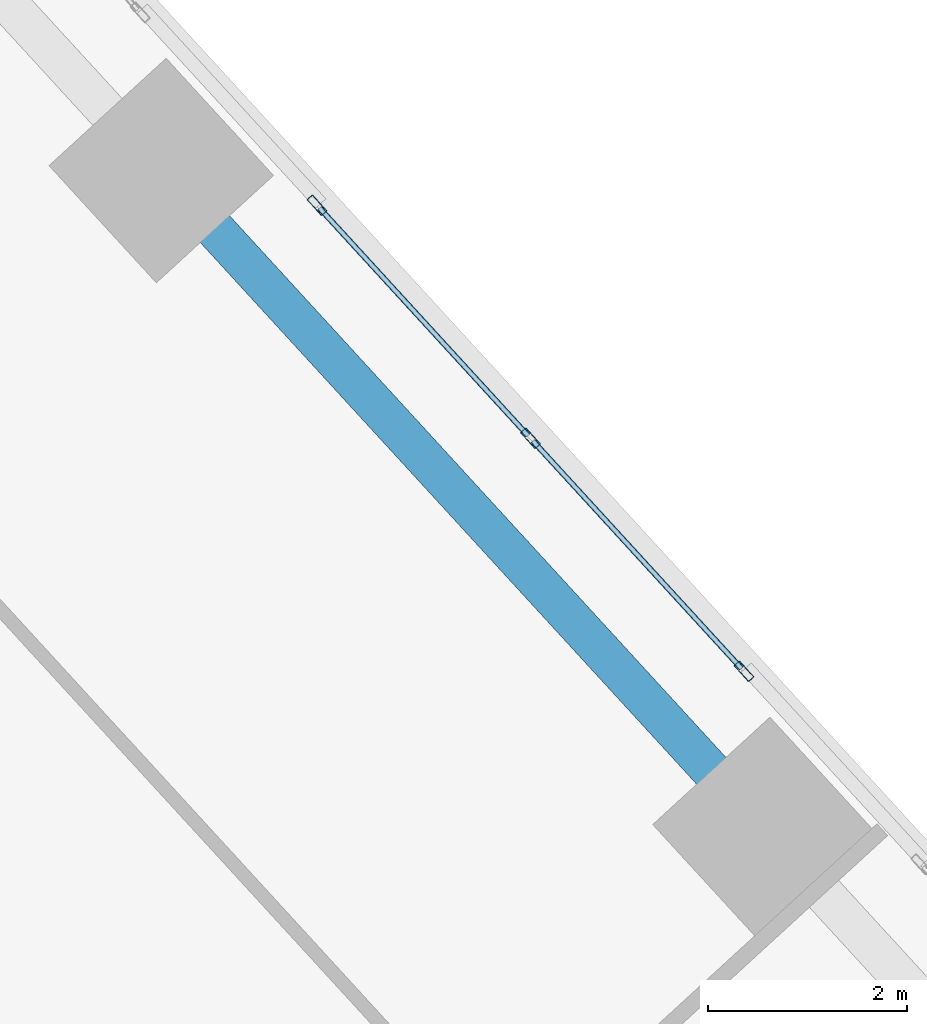
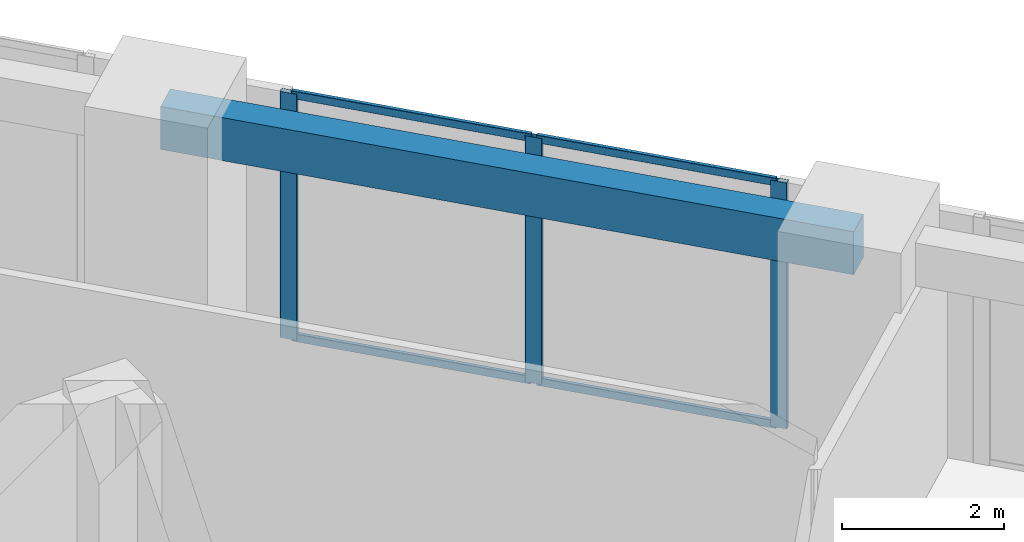
# One storey, part 10 of 17: 7 members, 1 beam, 1 element without a shape of its own.
"""IFC4 building model written with IfcOpenShell, lengths in metres."""

from ifc_helpers import new_model, si_unit, direction, frame, origin, origin_2d, place, context, subcontext, project, spatial, rectangle, hollow_rectangle, extrude, source, transform, mapped, material, material_profile, profile_set, type_object, element, aggregate, save


model = new_model("IFC4")

# Units and contexts
model_context = context("Model", 3, precision=1e-05, world=origin(), true_north=direction((0.0, 1.0)))
body_context = subcontext(model_context, "Body", "Model", "MODEL_VIEW")
ifc_project = project(units=[si_unit("LENGTHUNIT", "METRE"), si_unit("AREAUNIT", "SQUARE_METRE"), si_unit("VOLUMEUNIT", "CUBIC_METRE"), si_unit("PLANEANGLEUNIT", "RADIAN"), si_unit("MASSUNIT", "GRAM", prefix="KILO")], contexts=[model_context])

# Site, building, storey
site_placement = place(None, origin())
site = spatial("IfcSite", under=ifc_project, at=site_placement, CompositionType="ELEMENT")
building_placement = place(site_placement, origin())
building = spatial("IfcBuilding", under=site, at=building_placement, Name="Torre Montelarca", CompositionType="ELEMENT")
storey_placement = place(building_placement, frame((0.0, 0.0, 254.199951171875)))
storey = spatial("IfcBuildingStorey", under=building, at=storey_placement, Name="L57", CompositionType="ELEMENT", Elevation=254.199951171875)

# Beam
ifc_material_1 = material(Name="Concrete C40/50", Category="concrete")
ifc_material_profile_1 = material_profile(ifc_material_1, rectangle(XDim=0.39990234375, YDim=0.64990234375, at=origin_2d()), Name="RCB400X650", Category="concrete")
ifc_profile_set_1 = profile_set([ifc_material_profile_1], Name="Concrete C40/50")
beam_type = type_object("IfcBeamType", Name="BM-SP-RC650-EXT", PredefinedType="SPANDREL", material=ifc_profile_set_1)
shared_shape_1 = source(origin(), body_context, "Body", "SweptSolid", [
    extrude(rectangle(XDim=0.39990234375, YDim=0.64990234375, at=origin_2d()), origin(), (0.0, 0.0, 1.0), 9.0),
])
beam_placement = place(storey_placement, frame((30.30517578125, 44.815673828125, 3.635009765625), z_axis=(0.675590724023, -0.73727686361, 0.0), x_axis=(0.73727686361, 0.675590724023, 0.0)))
element("IfcBeam", 1, at=beam_placement, inside=storey, type_object=beam_type, Name="L57 Grid Girder X 18.0-27.0 at Y=47.1", PredefinedType="SPANDREL", context=body_context, shape_type="MappedRepresentation", body=[
    mapped(shared_shape_1, transform((0.0, 0.0, 0.0), scale=1.0)),
])

# Curtain wall, members
ifc_material_2 = material(Name="Insulated low-E laminated glass", Category="glass")
curtain_wall_type = type_object("IfcCurtainWallType", Name="CW-SYS-Z3", PredefinedType="USERDEFINED", material=ifc_material_2)
curtain_wall_placement = place(storey_placement, origin())
curtain_wall = element("IfcCurtainWall", 2, at=curtain_wall_placement, inside=storey, type_object=curtain_wall_type, Name="L57 Curtain Wall Run CW-T3-L57-E08-B3", ObjectType="UNITISED GLAZING", PredefinedType="USERDEFINED")
ifc_material_3 = material(Name="Anodised aluminium AA 6063-T6", Category="aluminium")
ifc_material_profile_2 = material_profile(ifc_material_3, hollow_rectangle(XDim=0.074951171875, YDim=0.219970703125, WallThickness=0.0048828125, InnerFilletRadius=0.0048828125, OuterFilletRadius=0.010009765625, at=origin_2d()), Name="ALU75X220X5", Category="aluminium")
ifc_profile_set_2 = profile_set([ifc_material_profile_2], Name="Anodised aluminium AA 6063-T6")
member_type_1 = type_object("IfcMemberType", Name="CWM-ALU220", PredefinedType="MULLION", material=ifc_profile_set_2)
shared_shape_2 = source(origin(), body_context, "Body", "SweptSolid", [
    extrude(hollow_rectangle(XDim=0.074951171875, YDim=0.219970703125, WallThickness=0.0048828125, InnerFilletRadius=0.0048828125, OuterFilletRadius=0.010009765625, at=origin_2d()), origin(), (0.0, 0.0, 1.0), 3.719970703125),
])
member_1_placement = place(storey_placement, frame((36.173583984375, 39.77294921875, 0.0), z_axis=(0.0, 0.0, 1.0), x_axis=(-0.737279815472, -0.675587502621, 0.0)))
member_1 = element("IfcMember", 3, at=member_1_placement, type_object=member_type_1, Name="CW mullion 1", PredefinedType="MULLION", context=body_context, shape_type="MappedRepresentation", body=[
    mapped(shared_shape_2, transform((0.0, 0.0, 0.0), scale=1.0)),
])
member_2_placement = place(storey_placement, frame((34.023681640625, 42.119384765625, 0.0), z_axis=(0.0, 0.0, 1.0), x_axis=(-0.737279815472, -0.675587502621, 0.0)))
member_2 = element("IfcMember", 4, at=member_2_placement, type_object=member_type_1, Name="CW mullion 2", PredefinedType="MULLION", context=body_context, shape_type="MappedRepresentation", body=[
    mapped(shared_shape_2, transform((0.0, 0.0, 0.0), scale=1.0)),
])
member_3_placement = place(storey_placement, frame((31.87353515625, 44.4658203125, 0.0), z_axis=(0.0, 0.0, 1.0), x_axis=(-0.737279815472, -0.675587502621, 0.0)))
member_3 = element("IfcMember", 5, at=member_3_placement, type_object=member_type_1, Name="CW mullion 3", PredefinedType="MULLION", context=body_context, shape_type="MappedRepresentation", body=[
    mapped(shared_shape_2, transform((0.0, 0.0, 0.0), scale=1.0)),
])
ifc_material_profile_3 = material_profile(ifc_material_3, hollow_rectangle(XDim=0.054931640625, YDim=0.1201171875, WallThickness=0.00341796875, InnerFilletRadius=0.00341796875, OuterFilletRadius=0.007080078125, at=origin_2d()), Name="ALU55X120X3.5", Category="aluminium")
ifc_profile_set_3 = profile_set([ifc_material_profile_3], Name="Anodised aluminium AA 6063-T6")
member_type_2 = type_object("IfcMemberType", Name="CWT-ALU120", PredefinedType="USERDEFINED", material=ifc_profile_set_3)
shared_shape_3 = source(origin(), body_context, "Body", "SweptSolid", [
    extrude(hollow_rectangle(XDim=0.054931640625, YDim=0.1201171875, WallThickness=0.00341796875, InnerFilletRadius=0.00341796875, OuterFilletRadius=0.007080078125, at=origin_2d()), origin(), (0.0, 0.0, 1.0), 3.107421875),
])
member_4_placement = place(storey_placement, frame((33.998291015625, 42.147216796875, 0.027587890625), z_axis=(-0.675596539491, 0.737271534665, 0.0), x_axis=(-0.737271534665, -0.675596539491, 0.0)))
member_4 = element("IfcMember", 6, at=member_4_placement, type_object=member_type_2, Name="CW transom 2.1", ObjectType="TRANSOM", PredefinedType="USERDEFINED", context=body_context, shape_type="MappedRepresentation", body=[
    mapped(shared_shape_3, transform((0.0, 0.0, 0.0), scale=1.0)),
])
member_5_placement = place(storey_placement, frame((33.998291015625, 42.147216796875, 3.692626953125), z_axis=(-0.675596539491, 0.737271534665, 0.0), x_axis=(-0.737271534665, -0.675596539491, 0.0)))
member_5 = element("IfcMember", 7, at=member_5_placement, type_object=member_type_2, Name="CW transom 2.2", ObjectType="TRANSOM", PredefinedType="USERDEFINED", context=body_context, shape_type="MappedRepresentation", body=[
    mapped(shared_shape_3, transform((0.0, 0.0, 0.0), scale=1.0)),
])
shared_shape_4 = source(origin(), body_context, "Body", "SweptSolid", [
    extrude(hollow_rectangle(XDim=0.054931640625, YDim=0.1201171875, WallThickness=0.00341796875, InnerFilletRadius=0.00341796875, OuterFilletRadius=0.007080078125, at=origin_2d()), origin(), (0.0, 0.0, 1.0), 3.107666015625),
])
member_6_placement = place(storey_placement, frame((36.1484375, 39.80078125, 0.027587890625), z_axis=(-0.675639242632, 0.737232401496, 0.0), x_axis=(-0.737232401496, -0.675639242632, 0.0)))
member_6 = element("IfcMember", 8, at=member_6_placement, type_object=member_type_2, Name="CW transom 1.1", ObjectType="TRANSOM", PredefinedType="USERDEFINED", context=body_context, shape_type="MappedRepresentation", body=[
    mapped(shared_shape_4, transform((0.0, 0.0, 0.0), scale=1.0)),
])
member_7_placement = place(storey_placement, frame((36.1484375, 39.80078125, 3.692626953125), z_axis=(-0.675639242632, 0.737232401496, 0.0), x_axis=(-0.737232401496, -0.675639242632, 0.0)))
member_7 = element("IfcMember", 9, at=member_7_placement, type_object=member_type_2, Name="CW transom 1.2", ObjectType="TRANSOM", PredefinedType="USERDEFINED", context=body_context, shape_type="MappedRepresentation", body=[
    mapped(shared_shape_4, transform((0.0, 0.0, 0.0), scale=1.0)),
])
aggregate(curtain_wall, [member_1, member_2, member_3, member_6, member_7, member_4, member_5])

save(model, "model.ifc")
